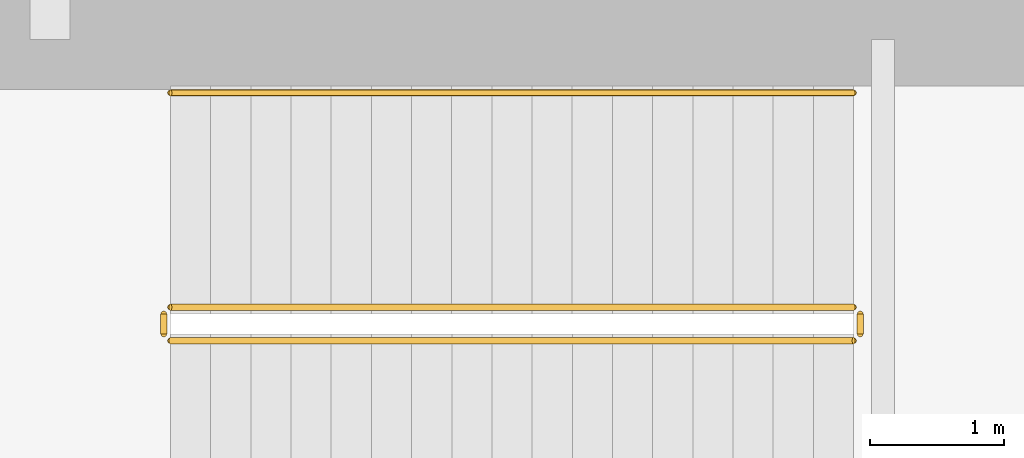
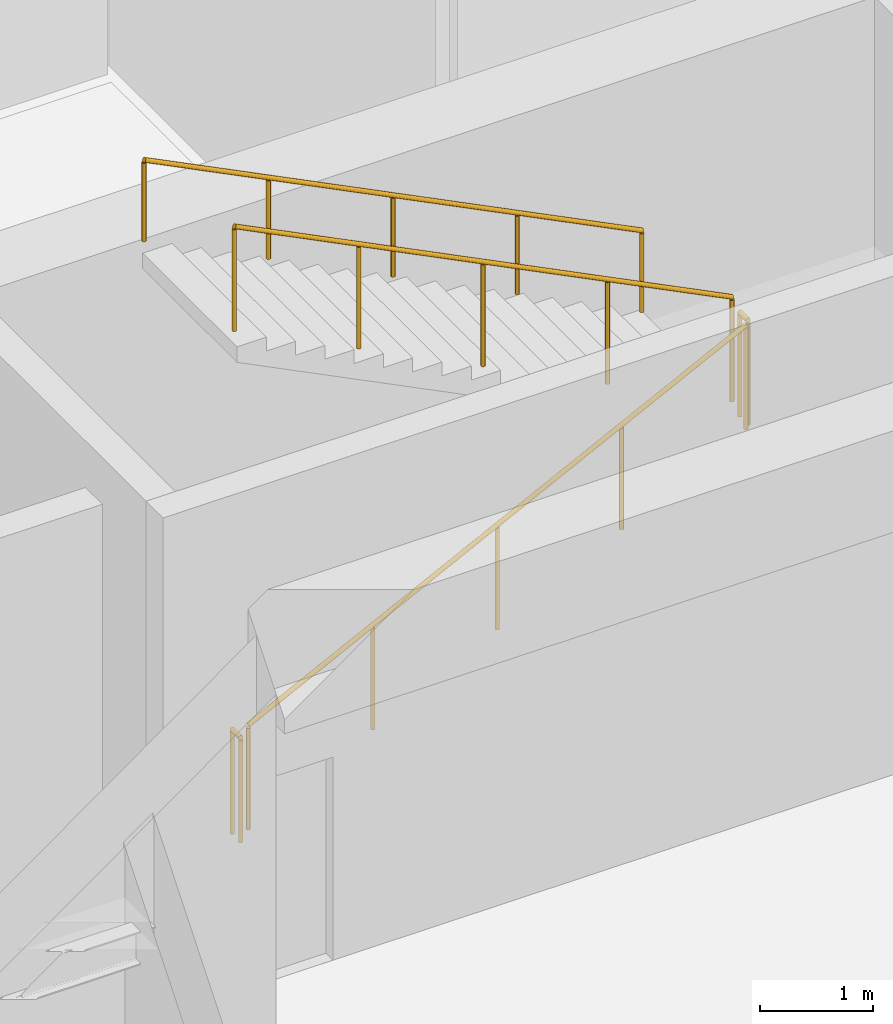
# One storey, part 37 of 39: 5 railings.
"""IFC4 building model written with IfcOpenShell, lengths in metres."""

from ifc_helpers import new_model, si_unit, direction, frame, origin, origin_2d, place, context, subcontext, project, spatial, circle, extrude, material, type_object, element, save


model = new_model("IFC4")

# Units and contexts
model_context = context("Model", 3, precision=1e-05, world=origin(), true_north=direction((0.0, 1.0)))
body_context = subcontext(model_context, "Body", "Model", "MODEL_VIEW")
ifc_project = project(units=[si_unit("LENGTHUNIT", "METRE"), si_unit("AREAUNIT", "SQUARE_METRE"), si_unit("VOLUMEUNIT", "CUBIC_METRE"), si_unit("PLANEANGLEUNIT", "RADIAN"), si_unit("MASSUNIT", "GRAM", prefix="KILO")], contexts=[model_context])

# Site, building, storey
site_placement = place(None, origin())
site = spatial("IfcSite", under=ifc_project, at=site_placement, CompositionType="ELEMENT")
building_placement = place(site_placement, origin())
building = spatial("IfcBuilding", under=site, at=building_placement, Name="Punatoya Terracotta Tower", CompositionType="ELEMENT")
storey_placement = place(building_placement, frame((0.0, 0.0, 11.39990234375)))
storey = spatial("IfcBuildingStorey", under=building, at=storey_placement, Name="L02", CompositionType="ELEMENT", Elevation=11.39990234375)

# Railings
ifc_material = material(Name="Steel S355", Category="steel")
railing_type_1 = type_object("IfcRailingType", Name="RLG-GRD-1150", PredefinedType="GUARDRAIL", material=ifc_material)
railing_1_placement = place(storey_placement, frame((-2.89990234375, 6.949951171875, 0.150146484375)))
element("IfcRailing", 1, at=railing_1_placement, inside=storey, type_object=railing_type_1, Name="L02 ST-3 stair guard 1", PredefinedType="GUARDRAIL", context=body_context, shape_type="SweptSolid", body=[
    extrude(circle(Radius=0.02392578125, at=origin_2d()), frame((0.0, 0.0, 1.1259765625), z_axis=(0.894418627299, 0.0, 0.447230722492), x_axis=(0.0, 1.0, 0.0)), (0.0, 0.0, 1.0), 5.701904296875),
    extrude(circle(Radius=0.02099609375, at=origin_2d()), origin(), (0.0, 0.0, 1.0), 1.101806640625),
    extrude(circle(Radius=0.02099609375, at=origin_2d()), frame((1.27490234375, 0.0, 0.637451171875)), (0.0, 0.0, 1.0), 1.101806640625),
    extrude(circle(Radius=0.02099609375, at=origin_2d()), frame((2.5498046875, 0.0, 1.27490234375)), (0.0, 0.0, 1.0), 1.101806640625),
    extrude(circle(Radius=0.02099609375, at=origin_2d()), frame((3.824951171875, 0.0, 1.91259765625)), (0.0, 0.0, 1.0), 1.101806640625),
    extrude(circle(Radius=0.02099609375, at=origin_2d()), frame((5.099853515625, 0.0, 2.550048828125)), (0.0, 0.0, 1.0), 1.101806640625),
])
railing_2_placement = place(storey_placement, frame((2.25, 7.0, 2.7001953125)))
element("IfcRailing", 2, at=railing_2_placement, inside=storey, type_object=railing_type_1, Name="L02 ST-3 stair guard 2", PredefinedType="GUARDRAIL", context=body_context, shape_type="SweptSolid", body=[
    extrude(circle(Radius=0.02392578125, at=origin_2d()), frame((0.0, 0.0, 1.1259765625), z_axis=(0.0, 1.0, 0.0), x_axis=(-1.0, 0.0, 0.0)), (0.0, 0.0, 1.0), 0.14990234375),
    extrude(circle(Radius=0.02099609375, at=origin_2d()), origin(), (0.0, 0.0, 1.0), 1.101806640625),
    extrude(circle(Radius=0.02099609375, at=origin_2d()), frame((0.0, 0.14990234375, 0.0)), (0.0, 0.0, 1.0), 1.101806640625),
])
railing_3_placement = place(storey_placement, frame((2.199951171875, 7.199951171875, 2.85009765625)))
element("IfcRailing", 3, at=railing_3_placement, inside=storey, type_object=railing_type_1, Name="L02 ST-3 stair guard 3", PredefinedType="GUARDRAIL", context=body_context, shape_type="SweptSolid", body=[
    extrude(circle(Radius=0.02392578125, at=origin_2d()), frame((0.0, 0.0, 1.1259765625), z_axis=(-0.894418627299, 0.0, 0.447230722492), x_axis=(0.0, -1.0, 0.0)), (0.0, 0.0, 1.0), 5.701904296875),
    extrude(circle(Radius=0.02099609375, at=origin_2d()), origin(), (0.0, 0.0, 1.0), 1.101806640625),
    extrude(circle(Radius=0.02099609375, at=origin_2d()), frame((-1.27490234375, 0.0, 0.637451171875)), (0.0, 0.0, 1.0), 1.101806640625),
    extrude(circle(Radius=0.02099609375, at=origin_2d()), frame((-2.5498046875, 0.0, 1.27490234375)), (0.0, 0.0, 1.0), 1.101806640625),
    extrude(circle(Radius=0.02099609375, at=origin_2d()), frame((-3.824951171875, 0.0, 1.91259765625)), (0.0, 0.0, 1.0), 1.101806640625),
    extrude(circle(Radius=0.02099609375, at=origin_2d()), frame((-5.099853515625, 0.0, 2.550048828125)), (0.0, 0.0, 1.0), 1.101806640625),
])
railing_4_placement = place(storey_placement, frame((-2.949951171875, 7.0, 0.0)))
element("IfcRailing", 4, at=railing_4_placement, inside=storey, type_object=railing_type_1, Name="L02 ST-3 stair guard 4", PredefinedType="GUARDRAIL", context=body_context, shape_type="SweptSolid", body=[
    extrude(circle(Radius=0.02392578125, at=origin_2d()), frame((0.0, 0.0, 1.1259765625), z_axis=(0.0, 1.0, 0.0), x_axis=(-1.0, 0.0, 0.0)), (0.0, 0.0, 1.0), 0.14990234375),
    extrude(circle(Radius=0.02099609375, at=origin_2d()), origin(), (0.0, 0.0, 1.0), 1.101806640625),
    extrude(circle(Radius=0.02099609375, at=origin_2d()), frame((0.0, 0.14990234375, 0.0)), (0.0, 0.0, 1.0), 1.101806640625),
])
railing_type_2 = type_object("IfcRailingType", Name="RLG-HND-900", PredefinedType="HANDRAIL", material=ifc_material)
railing_5_placement = place(storey_placement, frame((2.199951171875, 8.800048828125, 2.85009765625)))
element("IfcRailing", 5, at=railing_5_placement, inside=storey, type_object=railing_type_2, Name="L02 ST-3 stair handrail 2", PredefinedType="HANDRAIL", context=body_context, shape_type="SweptSolid", body=[
    extrude(circle(Radius=0.02392578125, at=origin_2d()), frame((0.0, 0.0, 0.8759765625), z_axis=(-0.894418627299, 0.0, 0.447230722492), x_axis=(0.0, -1.0, 0.0)), (0.0, 0.0, 1.0), 5.701904296875),
    extrude(circle(Radius=0.02099609375, at=origin_2d()), origin(), (0.0, 0.0, 1.0), 0.851806640625),
    extrude(circle(Radius=0.02099609375, at=origin_2d()), frame((-1.27490234375, 0.0, 0.637451171875)), (0.0, 0.0, 1.0), 0.851806640625),
    extrude(circle(Radius=0.02099609375, at=origin_2d()), frame((-2.5498046875, 0.0, 1.27490234375)), (0.0, 0.0, 1.0), 0.851806640625),
    extrude(circle(Radius=0.02099609375, at=origin_2d()), frame((-3.824951171875, 0.0, 1.91259765625)), (0.0, 0.0, 1.0), 0.851806640625),
    extrude(circle(Radius=0.02099609375, at=origin_2d()), frame((-5.099853515625, 0.0, 2.550048828125)), (0.0, 0.0, 1.0), 0.851806640625),
])

save(model, "model.ifc")
